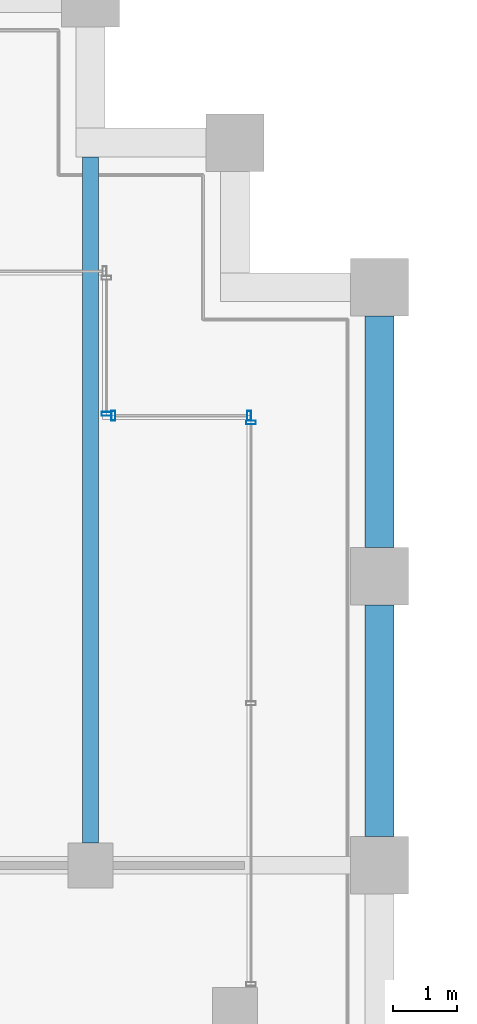
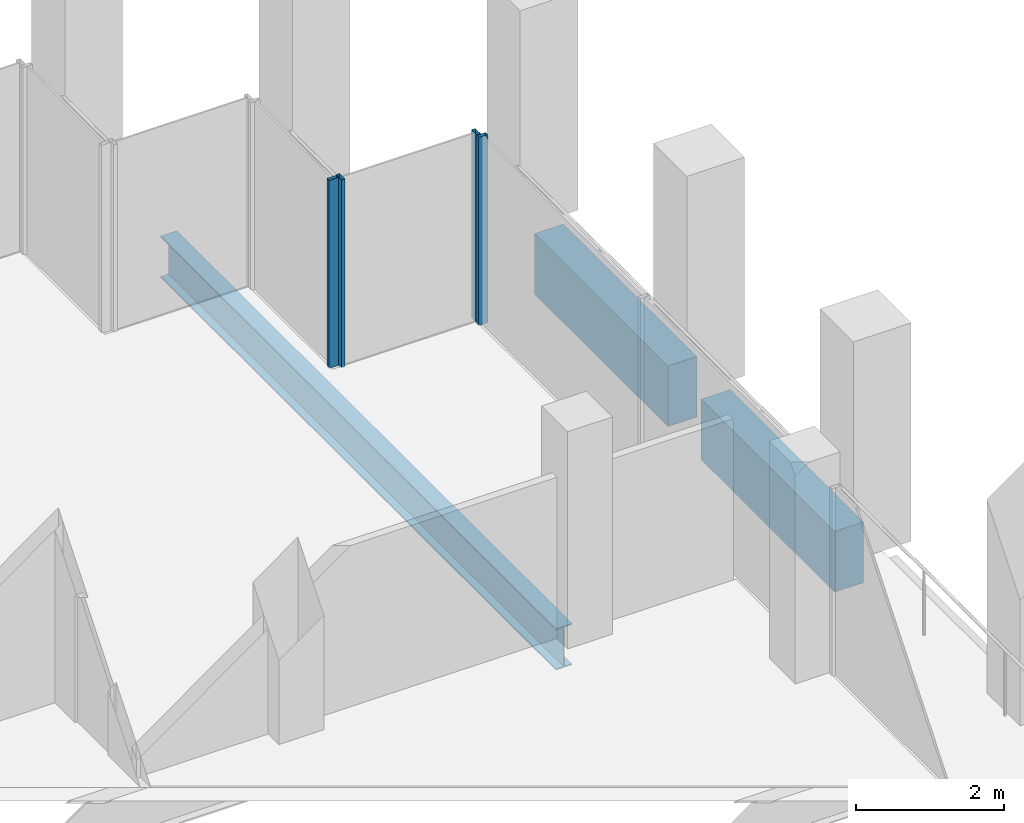
# One storey, part 25 of 40: 4 members, 3 beams, 3 elements without a shape of their own.
"""IFC4 building model written with IfcOpenShell, lengths in metres."""

import ifcopenshell
import ifcopenshell.guid

model = None  # the IFC model being written
_history = None  # IfcOwnerHistory: only IFC2X3 demands one
_inside = {}  # id of a spatial element -> (the spatial element, [elements in it])
_under = {}  # id of a project, library or spatial element -> (it, [spatial elements below it])
_declared = {}  # id of a project -> (the project, [libraries it declares])
_typed = {}  # id of a type object -> (the type object, [elements of that type])
_made_of = {}  # id of a material, layer set ... -> (it, [elements and type objects made of it])


def new_model(schema):
    """Start an empty IFC model of exactly this schema.

    Asked for "IFC4X3", IfcOpenShell would pick the latest addendum, in which some entities
    have other attributes; the version numbers below select the first issue.
    IFC2X3 requires an IfcOwnerHistory on every rooted entity: one is made here for all.
    """
    global model, _history
    if schema == "IFC4X3":
        model = ifcopenshell.file(schema_version=(4, 3, 0, 0))
    else:
        model = ifcopenshell.file(schema=schema)
    _inside.clear()
    _under.clear()
    _declared.clear()
    _typed.clear()
    _made_of.clear()
    _history = None
    if model.schema == "IFC2X3":
        org = make("IfcOrganization", Name="unknown")
        user = make(
            "IfcPersonAndOrganization",
            ThePerson=make("IfcPerson", FamilyName="unknown"),
            TheOrganization=org,
        )
        app = make(
            "IfcApplication",
            ApplicationDeveloper=org,
            Version="unknown",
            ApplicationFullName="unknown",
            ApplicationIdentifier="unknown",
        )
        _history = make(
            "IfcOwnerHistory",
            OwningUser=user,
            OwningApplication=app,
            ChangeAction="ADDED",
            CreationDate=0,
        )
    return model


def make(cls, **values):
    """One entity of the class cls with the attributes given. An attribute that is None is left unset."""
    return model.create_entity(
        cls, **{name: value for name, value in values.items() if value is not None}
    )


def rooted(cls, **values):
    """An entity with a GlobalId (a new one), such as an element, a storey or a relation."""
    return make(cls, GlobalId=ifcopenshell.guid.new(), OwnerHistory=_history, **values)


def si_unit(unit_type, name, prefix=None):
    """IfcSIUnit, for example si_unit("LENGTHUNIT", "METRE", prefix="MILLI")."""
    return make("IfcSIUnit", UnitType=unit_type, Prefix=prefix, Name=name)


def assignment(units):
    """IfcUnitAssignment: the units of a project."""
    return None if units is None else make("IfcUnitAssignment", Units=units)


def point(xyz):
    """IfcCartesianPoint."""
    return None if xyz is None else make("IfcCartesianPoint", Coordinates=xyz)


def direction(xyz):
    """IfcDirection."""
    return None if xyz is None else make("IfcDirection", DirectionRatios=xyz)


def frame(location, z_axis=None, x_axis=None):
    """IfcAxis2Placement3D, a coordinate frame: its origin and axes. An axis left out is left unset."""
    return make(
        "IfcAxis2Placement3D",
        Location=point(location),
        Axis=direction(z_axis),
        RefDirection=direction(x_axis),
    )


def frame_2d(location, x_axis=None):
    """IfcAxis2Placement2D, a coordinate frame in the plane: its origin and x axis."""
    return make(
        "IfcAxis2Placement2D", Location=point(location), RefDirection=direction(x_axis)
    )


def origin():
    """The frame at (0, 0, 0) with its axes left unset."""
    return frame((0.0, 0.0, 0.0))


def origin_2d():
    """The frame at (0, 0) in the plane with its x axis left unset."""
    return frame_2d((0.0, 0.0))


def place(relative_to, where):
    """IfcLocalPlacement: puts the frame where relative to a parent placement (None: the world)."""
    return make(
        "IfcLocalPlacement", PlacementRelTo=relative_to, RelativePlacement=where
    )


def context(
    kind, dimensions, precision=None, world=None, true_north=None, identifier=None
):
    """IfcGeometricRepresentationContext, for example the 3D "Model" context."""
    return make(
        "IfcGeometricRepresentationContext",
        ContextIdentifier=identifier,
        ContextType=kind,
        CoordinateSpaceDimension=dimensions,
        Precision=precision,
        WorldCoordinateSystem=world,
        TrueNorth=true_north,
    )


def subcontext(parent, identifier, kind, view, scale=None):
    """IfcGeometricRepresentationSubContext, for example "Body" below "Model"."""
    return make(
        "IfcGeometricRepresentationSubContext",
        ContextIdentifier=identifier,
        ContextType=kind,
        ParentContext=parent,
        TargetScale=scale,
        TargetView=view,
    )


def project(units=None, contexts=None):
    """IfcProject with its units and contexts."""
    return rooted(
        "IfcProject",
        Name="project",
        RepresentationContexts=contexts,
        UnitsInContext=assignment(units),
    )


def spatial(cls, under=None, at=None, **own):
    """A site, building, storey or space (cls), placed at a placement, below another one or the project."""
    s = rooted(cls, ObjectPlacement=at, **own)
    if under is not None:
        _under.setdefault(under.id(), (under, []))[1].append(s)
    return s


def profile(cls, at=None, kind="AREA", **sizes):
    """A parametric profile (cls). Its sizes go by their IFC names, for example OverallWidth=200.0."""
    return make(cls, ProfileType=kind, Position=at, **sizes)


def rectangle(**sizes):
    """IfcRectangleProfileDef."""
    return profile("IfcRectangleProfileDef", **sizes)


def hollow_rectangle(**sizes):
    """IfcRectangleHollowProfileDef."""
    return profile("IfcRectangleHollowProfileDef", **sizes)


def i_section(**sizes):
    """IfcIShapeProfileDef."""
    return profile("IfcIShapeProfileDef", **sizes)


def extrude(swept, where, along, depth):
    """IfcExtrudedAreaSolid: the profile swept, set in the frame where, extruded along a direction by depth."""
    return make(
        "IfcExtrudedAreaSolid",
        SweptArea=swept,
        Position=where,
        ExtrudedDirection=direction(along),
        Depth=depth,
    )


def shape(context_of_items, identifier, shape_type, items):
    """IfcShapeRepresentation: the items that make up one representation, for example the "Body"."""
    return make(
        "IfcShapeRepresentation",
        ContextOfItems=context_of_items,
        RepresentationIdentifier=identifier,
        RepresentationType=shape_type,
        Items=items,
    )


def material(Name=None, Category=None):
    """IfcMaterial."""
    return make("IfcMaterial", Name=Name, Category=Category)


def material_profile(
    of_material, cross_section, Name=None, Category=None, Priority=None
):
    """IfcMaterialProfile: a cross section and its material."""
    return make(
        "IfcMaterialProfile",
        Name=Name,
        Material=of_material,
        Profile=cross_section,
        Priority=Priority,
        Category=Category,
    )


def profile_set(profiles, Name=None, composite=None):
    """IfcMaterialProfileSet."""
    return make(
        "IfcMaterialProfileSet",
        Name=Name,
        MaterialProfiles=profiles,
        CompositeProfile=composite,
    )


def made_of(thing, what):
    """Note that an element or type object is made of a material, layer set ...; save() writes the relation."""
    if what is not None:
        _made_of.setdefault(what.id(), (what, []))[1].append(thing)
    return thing


def type_object(cls, material=None, **own):
    """A type object (cls), such as IfcWallType, which elements share."""
    return made_of(rooted(cls, **own), material)


def element(
    cls,
    number,
    at=None,
    inside=None,
    cuts=None,
    type_object=None,
    material=None,
    context=None,
    identifier="Body",
    shape_type=None,
    held_by="IfcProductDefinitionShape",
    body=None,
    shapes=None,
    **own,
):
    """One element of the class cls, such as IfcWall. Its Tag is "e" and its number.

    at: its placement. inside: the storey or other place that contains it. cuts: it is an
    opening in that element (IfcRelVoidsElement). A single representation is given by context,
    identifier, shape_type and body (its items); several are given by shapes. held_by: the class
    of the entity that holds the representations. save() writes the other relations.
    """
    e = rooted(cls, Tag="e%d" % number, ObjectPlacement=at, **own)
    if body is not None:
        shapes = [shape(context, identifier, shape_type, body)]
    if shapes is not None:
        e.Representation = make(held_by, Representations=shapes)
    if inside is not None:
        _inside.setdefault(inside.id(), (inside, []))[1].append(e)
    if cuts is not None:
        rooted(
            "IfcRelVoidsElement", RelatingBuildingElement=cuts, RelatedOpeningElement=e
        )
    if type_object is not None:
        _typed.setdefault(type_object.id(), (type_object, []))[1].append(e)
    return made_of(e, material)


def aggregate(whole, parts):
    """IfcRelAggregates: a whole, such as a stair, and the parts it consists of."""
    return rooted("IfcRelAggregates", RelatingObject=whole, RelatedObjects=parts)


def save(model, path):
    """Write the relations noted so far, then the file.

    IfcRelAggregates (storeys below a building ...), IfcRelContainedInSpatialStructure (elements
    in a storey), IfcRelDefinesByType, IfcRelAssociatesMaterial and IfcRelDeclares: one each for
    every whole, place, type object, material and project.
    """
    for whole, parts in _under.values():
        aggregate(whole, parts)
    for where, things in _inside.values():
        rooted(
            "IfcRelContainedInSpatialStructure",
            RelatedElements=things,
            RelatingStructure=where,
        )
    for kind, things in _typed.values():
        rooted("IfcRelDefinesByType", RelatedObjects=things, RelatingType=kind)
    for what, things in _made_of.values():
        rooted("IfcRelAssociatesMaterial", RelatedObjects=things, RelatingMaterial=what)
    for by, libraries in _declared.values():
        rooted("IfcRelDeclares", RelatingContext=by, RelatedDefinitions=libraries)
    model.write(path)


model = new_model("IFC4")

# Units and contexts
model_context = context("Model", 3, precision=1e-05, world=origin(), true_north=direction((0.0, 1.0)))
body_context = subcontext(model_context, "Body", "Model", "MODEL_VIEW")
ifc_project = project(units=[si_unit("LENGTHUNIT", "METRE"), si_unit("AREAUNIT", "SQUARE_METRE"), si_unit("VOLUMEUNIT", "CUBIC_METRE"), si_unit("PLANEANGLEUNIT", "RADIAN"), si_unit("MASSUNIT", "GRAM", prefix="KILO")], contexts=[model_context])

# Site, building, storey
site_placement = place(None, origin())
site = spatial("IfcSite", under=ifc_project, at=site_placement, CompositionType="ELEMENT")
building_placement = place(site_placement, origin())
building = spatial("IfcBuilding", under=site, at=building_placement, Name="Altepetl Exchange Towers", CompositionType="ELEMENT")
storey_placement = place(building_placement, frame((0.0, 0.0, 172.60009765625)))
storey = spatial("IfcBuildingStorey", under=building, at=storey_placement, Name="L43", CompositionType="ELEMENT", Elevation=172.60009765625)

# Beam
ifc_material_1 = material(Name="Steel S355", Category="steel")
ifc_material_profile_1 = material_profile(ifc_material_1, i_section(OverallWidth=0.25390625, OverallDepth=0.68408203125, WebThickness=0.012451171875, FlangeThickness=0.018798828125, at=origin_2d()), Name="W27X94")
ifc_profile_set_1 = profile_set([ifc_material_profile_1], Name="Steel S355")
beam_type_1 = type_object("IfcBeamType", Name="Floor beam W27X94", PredefinedType="BEAM", material=ifc_profile_set_1)
beam_placement = place(storey_placement, frame((67.5, 58.85009765625, -0.4921875), z_axis=(0.0, 1.0, 0.0), x_axis=(-1.0, 0.0, 0.0)))
element("IfcBeam", 1, at=beam_placement, inside=storey, type_object=beam_type_1, Name="bm:A:L43:005", PredefinedType="BEAM", context=body_context, shape_type="SweptSolid", body=[
    extrude(i_section(OverallWidth=0.25390625, OverallDepth=0.68408203125, WebThickness=0.012451171875, FlangeThickness=0.018798828125, at=origin_2d()), origin(), (0.0, 0.0, 1.0), 10.6748046875),
])

# Curtain wall, member
ifc_material_2 = material(Name="Aluminium 6063-T6 glazing", Category="aluminium")
curtain_wall_type = type_object("IfcCurtainWallType", Name="Loggia glazing system", PredefinedType="NOTDEFINED", material=ifc_material_2)
curtain_wall_1_placement = place(storey_placement, origin())
curtain_wall_1 = element("IfcCurtainWall", 2, at=curtain_wall_1_placement, inside=storey, type_object=curtain_wall_type, Name="CW1 run", PredefinedType="NOTDEFINED")
ifc_material_3 = material(Name="Aluminium 6063-T6", Category="aluminium")
ifc_material_profile_2 = material_profile(ifc_material_3, hollow_rectangle(XDim=0.06005859375, YDim=0.14990234375, WallThickness=0.0029296875, at=origin_2d()), Name="Mullion 60x150 aluminium")
ifc_profile_set_2 = profile_set([ifc_material_profile_2], Name="Aluminium 6063-T6")
member_type = type_object("IfcMemberType", Name="Mullion 60x150 aluminium", PredefinedType="MULLION", material=ifc_profile_set_2)
member_1_placement = place(storey_placement, frame((70.0, 65.39501953125, 0.0), z_axis=(0.0, 0.0, 1.0), x_axis=(0.0, 1.0, 0.0)))
member_1 = element("IfcMember", 3, at=member_1_placement, type_object=member_type, Name="MU1 mullion", PredefinedType="MULLION", context=body_context, shape_type="SweptSolid", body=[
    extrude(hollow_rectangle(XDim=0.06005859375, YDim=0.14990234375, WallThickness=0.0029296875, at=origin_2d()), origin(), (0.0, 0.0, 1.0), 3.099853515625),
])
aggregate(curtain_wall_1, [member_1])

# Curtain wall, members
curtain_wall_2_placement = place(storey_placement, origin())
curtain_wall_2 = element("IfcCurtainWall", 4, at=curtain_wall_2_placement, inside=storey, type_object=curtain_wall_type, Name="CW1 run", PredefinedType="NOTDEFINED")
member_2_placement = place(storey_placement, frame((69.969970703125, 65.5, 0.0), z_axis=(0.0, 0.0, 1.0), x_axis=(-1.0, 0.0, 0.0)))
member_2 = element("IfcMember", 5, at=member_2_placement, type_object=member_type, Name="MU1 mullion", PredefinedType="MULLION", context=body_context, shape_type="SweptSolid", body=[
    extrude(hollow_rectangle(XDim=0.06005859375, YDim=0.14990234375, WallThickness=0.0029296875, at=origin_2d()), origin(), (0.0, 0.0, 1.0), 3.099853515625),
])
member_3_placement = place(storey_placement, frame((67.85498046875, 65.5, 0.0), z_axis=(0.0, 0.0, 1.0), x_axis=(-1.0, 0.0, 0.0)))
member_3 = element("IfcMember", 6, at=member_3_placement, type_object=member_type, Name="MU1 mullion", PredefinedType="MULLION", context=body_context, shape_type="SweptSolid", body=[
    extrude(hollow_rectangle(XDim=0.06005859375, YDim=0.14990234375, WallThickness=0.0029296875, at=origin_2d()), origin(), (0.0, 0.0, 1.0), 3.099853515625),
])
aggregate(curtain_wall_2, [member_2, member_3])

# Curtain wall, member
curtain_wall_3_placement = place(storey_placement, origin())
curtain_wall_3 = element("IfcCurtainWall", 7, at=curtain_wall_3_placement, inside=storey, type_object=curtain_wall_type, Name="CW1 run", PredefinedType="NOTDEFINED")
member_4_placement = place(storey_placement, frame((67.75, 65.530029296875, 0.0), z_axis=(0.0, 0.0, 1.0), x_axis=(0.0, 1.0, 0.0)))
member_4 = element("IfcMember", 8, at=member_4_placement, type_object=member_type, Name="MU1 mullion", PredefinedType="MULLION", context=body_context, shape_type="SweptSolid", body=[
    extrude(hollow_rectangle(XDim=0.06005859375, YDim=0.14990234375, WallThickness=0.0029296875, at=origin_2d()), origin(), (0.0, 0.0, 1.0), 3.099853515625),
])
aggregate(curtain_wall_3, [member_4])

# Beams
ifc_material_4 = material(Name="Concrete C50/60 precast with cantera rosa facing", Category="concrete")
ifc_material_profile_3 = material_profile(ifc_material_4, rectangle(XDim=0.449951171875, YDim=1.0, at=origin_2d()), Name="450 x 1000")
ifc_profile_set_3 = profile_set([ifc_material_profile_3], Name="Concrete C50/60 precast with cantera rosa facing")
beam_type_2 = type_object("IfcBeamType", Name="Spandrel beam 450x1000 cantera rosa", PredefinedType="SPANDREL", material=ifc_profile_set_3)
for number, where, z_axis, x_axis, name in (
    (9, (72.0, 58.949951171875, -0.650146484375), (0.0, 1.0, 0.0), (-1.0, 0.0, 0.0), "sp:A:L43:018"),
    (10, (72.0, 63.449951171875, -0.650146484375), (0.0, 1.0, 0.0), (-1.0, 0.0, 0.0), "sp:A:L43:019"),
):
    element("IfcBeam", number, at=place(storey_placement, frame(where, z_axis=z_axis, x_axis=x_axis)), inside=storey, type_object=beam_type_2, Name=name, PredefinedType="SPANDREL", context=body_context, shape_type="SweptSolid", body=[
        extrude(rectangle(XDim=0.449951171875, YDim=1.0, at=origin_2d()), origin(), (0.0, 0.0, 1.0), 3.60009765625),
    ])

save(model, "model.ifc")
